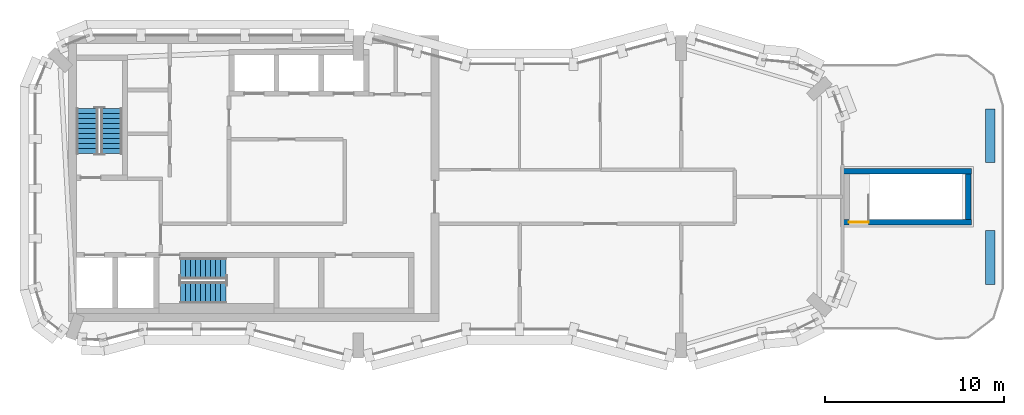
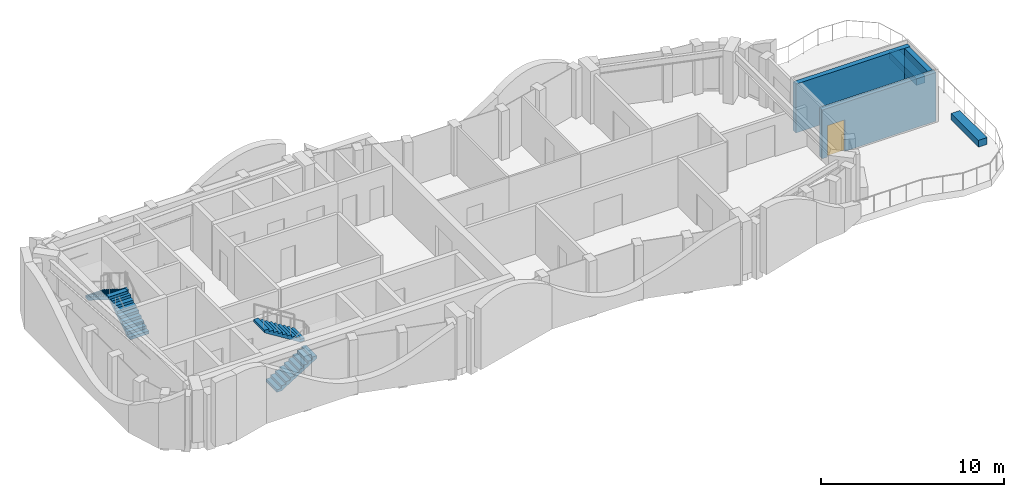
# One storey, part 5 of 9: 5 walls, 4 stair flights, 1 door, 1 opening, 2 elements without a shape of their own.
"""IFC4 building model written with IfcOpenShell, lengths in metres."""

from ifc_helpers import new_model, si_unit, direction, frame, frame_2d, origin, place, context, subcontext, project, spatial, polyline, rectangle, outline, extrude, material, layer, layer_set, type_object, element, fill, aggregate, save


model = new_model("IFC4")

# Units and contexts
model_context = context("Model", 3, precision=1e-05, world=origin(), true_north=direction((0.0, 1.0)))
body_context = subcontext(model_context, "Body", "Model", "MODEL_VIEW")
ifc_project = project(units=[si_unit("LENGTHUNIT", "METRE"), si_unit("AREAUNIT", "SQUARE_METRE"), si_unit("VOLUMEUNIT", "CUBIC_METRE"), si_unit("PLANEANGLEUNIT", "RADIAN"), si_unit("MASSUNIT", "GRAM", prefix="KILO")], contexts=[model_context])

# Site, building, storey
site_placement = place(None, origin())
site = spatial("IfcSite", under=ifc_project, at=site_placement, CompositionType="ELEMENT")
building_placement = place(site_placement, origin())
building = spatial("IfcBuilding", under=site, at=building_placement, Name="Plateau Cross Towers", CompositionType="ELEMENT")
storey_placement = place(building_placement, frame((0.0, 0.0, 287.89990234375)))
storey = spatial("IfcBuildingStorey", under=building, at=storey_placement, Name="L76 Crown 1", CompositionType="ELEMENT", Elevation=287.89990234375)

# Walls
ifc_material_1 = material(Name="Concrete C30/37", Category="concrete")
ifc_layer_1 = layer(ifc_material_1, 0.550048828125)
ifc_layer_set_1 = layer_set([ifc_layer_1], Name="Concrete C30/37")
wall_type_1 = type_object("IfcWallType", Name="Planter upstand 550", PredefinedType="STANDARD", material=ifc_layer_set_1)
for number, where, z_axis, x_axis, name in (
    (1, (53.235107421875, 13.880126953125, 0.0), (0.0, 0.0, 1.0), (0.0, -1.0, 0.0), "Planter 1"),
    (2, (53.235107421875, 7.106689453125, 0.0), (0.0, 0.0, 1.0), (0.0, -1.0, 0.0), "Planter 2"),
):
    element("IfcWall", number, at=place(storey_placement, frame(where, z_axis=z_axis, x_axis=x_axis)), inside=storey, type_object=wall_type_1, Name=name, PredefinedType="STANDARD", context=body_context, shape_type="SweptSolid", body=[
        extrude(rectangle(XDim=2.98681640625, YDim=0.550048828125, at=frame_2d((1.493408203125, 0.0))), origin(), (0.0, 0.0, 1.0), 0.4501953125),
    ])
ifc_material_2 = material(Name="Concrete C60/75", Category="concrete")
ifc_layer_2 = layer(ifc_material_2, 0.300048828125)
ifc_layer_set_2 = layer_set([ifc_layer_2], Name="Concrete C60/75")
wall_type_2 = type_object("IfcWallType", Name="Stair tower wall 300", PredefinedType="SHEAR", material=ifc_layer_set_2)
wall_1_placement = place(storey_placement, frame((52.0, 7.72509765625, 0.0), z_axis=(0.0, 0.0, 1.0), x_axis=(0.0, 1.0, 0.0)))
element("IfcWall", 3, at=wall_1_placement, inside=storey, type_object=wall_type_2, Name="A-end-E-E@L76 Crown 1", PredefinedType="SHEAR", context=body_context, shape_type="SweptSolid", body=[
    extrude(rectangle(XDim=2.5498046875, YDim=0.300048828125, at=frame_2d((1.27490234375, 0.0))), origin(), (0.0, 0.0, 1.0), 3.25),
])

# Wall, opening, door
wall_2_placement = place(storey_placement, frame((45.0, 7.574951171875, 0.0), z_axis=(0.0, 0.0, 1.0), x_axis=(1.0, 0.0, 0.0)))
wall_2 = element("IfcWall", 4, at=wall_2_placement, inside=storey, type_object=wall_type_2, Name="A-end-E-S@L76 Crown 1", PredefinedType="SHEAR", context=body_context, shape_type="SweptSolid", body=[
    extrude(rectangle(XDim=7.199951171875, YDim=0.300048828125, at=frame_2d((3.60009765625, 0.0))), origin(), (0.0, 0.0, 1.0), 3.25),
])
opening_placement = place(wall_2_placement, frame((0.35009765625, 0.0, 0.0)))
opening = element("IfcOpeningElement", 5, at=opening_placement, cuts=wall_2, Name="Opening SD", PredefinedType="OPENING", context=body_context, shape_type="SweptSolid", body=[
    extrude(rectangle(XDim=1.10009765625, YDim=2.10009765625, at=frame_2d((0.550048828125, 1.050048828125))), frame((0.0, 0.159912109375, 0.0), z_axis=(0.0, -1.0, 0.0), x_axis=(1.0, 0.0, 0.0)), (0.0, 0.0, 1.0), 0.320068359375),
])
ifc_material_3 = material(Name="Steel, fire-resisting leaf", Category="steel")
door_type = type_object("IfcDoorType", Name="Stair door 1100", OperationType="NOTDEFINED", PredefinedType="DOOR", material=ifc_material_3)
door_placement = place(opening_placement, origin())
door = element("IfcDoor", 6, at=door_placement, inside=storey, type_object=door_type, Name="Stair door SD", OperationType="SINGLE_SWING_LEFT", OverallHeight=2.10009765625, OverallWidth=1.10009765625, PredefinedType="DOOR", context=body_context, shape_type="SweptSolid", body=[
    extrude(rectangle(XDim=1.10009765625, YDim=2.10009765625, at=frame_2d((0.550048828125, 1.050048828125))), frame((0.0, 0.02490234375, 0.0), z_axis=(0.0, -1.0, 0.0), x_axis=(1.0, 0.0, 0.0)), (0.0, 0.0, 1.0), 0.050048828125),
])
fill(opening, door)

# Wall
wall_3_placement = place(storey_placement, frame((45.0, 10.425048828125, 0.0), z_axis=(0.0, 0.0, 1.0), x_axis=(1.0, 0.0, 0.0)))
element("IfcWall", 7, at=wall_3_placement, inside=storey, type_object=wall_type_2, Name="A-end-E-N@L76 Crown 1", PredefinedType="SHEAR", context=body_context, shape_type="SweptSolid", body=[
    extrude(rectangle(XDim=7.199951171875, YDim=0.300048828125, at=frame_2d((3.60009765625, 0.0))), origin(), (0.0, 0.0, 1.0), 3.25),
])

# Stair, stair flights
ifc_material_4 = material(Name="Concrete C40/50", Category="concrete")
stair_type = type_object("IfcStairType", Name="ST-TWR", PredefinedType="HALF_TURN_STAIR", material=ifc_material_4)
stair_1_placement = place(storey_placement, origin())
stair_1 = element("IfcStair", 8, at=stair_1_placement, inside=storey, type_object=stair_type, Name="L76 Crown 1 Protected Exit Stair ST-1", PredefinedType="HALF_TURN_STAIR")
stair_flight_type = type_object("IfcStairFlightType", Name="SFL-RC", PredefinedType="STRAIGHT", material=ifc_material_4)
stair_flight_1_placement = place(storey_placement, frame((4.25, 11.39990234375, 0.0), z_axis=(0.0, 0.0, 1.0), x_axis=(0.0, 1.0, 0.0)))
stair_flight_1 = element("IfcStairFlight", 9, at=stair_flight_1_placement, type_object=stair_flight_type, Name="ST-1 flight 1", NumberOfRisers=10, NumberOfTreads=9, PredefinedType="STRAIGHT", RiserHeight=0.175, TreadLength=0.28, context=body_context, shape_type="SweptSolid", body=[
    extrude(outline(polyline([(-0.0048828125, -0.010009765625), (-0.0048828125, 0.0), (0.0, 0.0), (0.0, 0.175048828125), (0.280029296875, 0.175048828125), (0.280029296875, 0.35009765625), (0.56005859375, 0.35009765625), (0.56005859375, 0.52490234375), (0.840087890625, 0.52490234375), (0.840087890625, 0.699951171875), (1.1201171875, 0.699951171875), (1.1201171875, 0.875), (1.39990234375, 0.875), (1.39990234375, 1.050048828125), (1.679931640625, 1.050048828125), (1.679931640625, 1.22509765625), (1.9599609375, 1.22509765625), (1.9599609375, 1.39990234375), (2.239990234375, 1.39990234375), (2.239990234375, 1.574951171875), (2.52001953125, 1.574951171875), (2.52490234375, 1.56494140625), (2.52490234375, 1.398193359375), (2.52001953125, 1.398193359375), (0.28271484375, 0.0), (0.02001953125, 0.0), (0.02001953125, -0.010009765625), (-0.0048828125, -0.010009765625)])), frame((0.0, 0.60009765625, 0.0), z_axis=(0.0, -1.0, 0.0), x_axis=(1.0, 0.0, 0.0)), (0.0, 0.0, 1.0), 1.199951171875),
])
stair_flight_2_placement = place(storey_placement, frame((2.89990234375, 13.919921875, 1.75), z_axis=(0.0, 0.0, 1.0), x_axis=(0.0, -1.0, 0.0)))
stair_flight_2 = element("IfcStairFlight", 10, at=stair_flight_2_placement, type_object=stair_flight_type, Name="ST-1 flight 2", NumberOfRisers=10, NumberOfTreads=9, PredefinedType="STRAIGHT", RiserHeight=0.175, TreadLength=0.28, context=body_context, shape_type="SweptSolid", body=[
    extrude(outline(polyline([(-0.0048828125, -0.010009765625), (-0.0048828125, 0.0), (0.0, 0.0), (0.0, 0.175048828125), (0.280029296875, 0.175048828125), (0.280029296875, 0.35009765625), (0.56005859375, 0.35009765625), (0.56005859375, 0.52490234375), (0.840087890625, 0.52490234375), (0.840087890625, 0.699951171875), (1.1201171875, 0.699951171875), (1.1201171875, 0.875), (1.39990234375, 0.875), (1.39990234375, 1.050048828125), (1.679931640625, 1.050048828125), (1.679931640625, 1.22509765625), (1.9599609375, 1.22509765625), (1.9599609375, 1.39990234375), (2.239990234375, 1.39990234375), (2.239990234375, 1.574951171875), (2.52001953125, 1.574951171875), (2.52490234375, 1.56494140625), (2.52490234375, 1.398193359375), (2.52001953125, 1.398193359375), (0.28271484375, 0.0), (0.02001953125, 0.0), (0.02001953125, -0.010009765625), (-0.0048828125, -0.010009765625)])), frame((0.0, 0.60009765625, 0.0), z_axis=(0.0, -1.0, 0.0), x_axis=(1.0, 0.0, 0.0)), (0.0, 0.0, 1.0), 1.199951171875),
])
aggregate(stair_1, [stair_flight_1, stair_flight_2])

stair_2_placement = place(storey_placement, origin())
stair_2 = element("IfcStair", 11, at=stair_2_placement, inside=storey, type_object=stair_type, Name="L76 Crown 1 Protected Exit Stair ST-2", PredefinedType="HALF_TURN_STAIR")
stair_flight_3_placement = place(storey_placement, frame((8.10009765625, 3.64990234375, 0.0), z_axis=(0.0, 0.0, 1.0), x_axis=(1.0, 0.0, 0.0)))
stair_flight_3 = element("IfcStairFlight", 12, at=stair_flight_3_placement, type_object=stair_flight_type, Name="ST-2 flight 1", NumberOfRisers=10, NumberOfTreads=9, PredefinedType="STRAIGHT", RiserHeight=0.175, TreadLength=0.28, context=body_context, shape_type="SweptSolid", body=[
    extrude(outline(polyline([(-0.0048828125, -0.010009765625), (-0.0048828125, 0.0), (0.0, 0.0), (0.0, 0.175048828125), (0.280029296875, 0.175048828125), (0.280029296875, 0.35009765625), (0.56005859375, 0.35009765625), (0.56005859375, 0.52490234375), (0.840087890625, 0.52490234375), (0.840087890625, 0.699951171875), (1.1201171875, 0.699951171875), (1.1201171875, 0.875), (1.39990234375, 0.875), (1.39990234375, 1.050048828125), (1.679931640625, 1.050048828125), (1.679931640625, 1.22509765625), (1.9599609375, 1.22509765625), (1.9599609375, 1.39990234375), (2.239990234375, 1.39990234375), (2.239990234375, 1.574951171875), (2.52001953125, 1.574951171875), (2.52490234375, 1.56494140625), (2.52490234375, 1.398193359375), (2.52001953125, 1.398193359375), (0.28271484375, 0.0), (0.02001953125, 0.0), (0.02001953125, -0.010009765625), (-0.0048828125, -0.010009765625)])), frame((0.0, 0.60009765625, 0.0), z_axis=(0.0, -1.0, 0.0), x_axis=(1.0, 0.0, 0.0)), (0.0, 0.0, 1.0), 1.199951171875),
])
stair_flight_4_placement = place(storey_placement, frame((10.6201171875, 5.0, 1.75), z_axis=(0.0, 0.0, 1.0), x_axis=(-1.0, 0.0, 0.0)))
stair_flight_4 = element("IfcStairFlight", 13, at=stair_flight_4_placement, type_object=stair_flight_type, Name="ST-2 flight 2", NumberOfRisers=10, NumberOfTreads=9, PredefinedType="STRAIGHT", RiserHeight=0.175, TreadLength=0.28, context=body_context, shape_type="SweptSolid", body=[
    extrude(outline(polyline([(-0.0048828125, -0.010009765625), (-0.0048828125, 0.0), (0.0, 0.0), (0.0, 0.175048828125), (0.280029296875, 0.175048828125), (0.280029296875, 0.35009765625), (0.56005859375, 0.35009765625), (0.56005859375, 0.52490234375), (0.840087890625, 0.52490234375), (0.840087890625, 0.699951171875), (1.1201171875, 0.699951171875), (1.1201171875, 0.875), (1.39990234375, 0.875), (1.39990234375, 1.050048828125), (1.679931640625, 1.050048828125), (1.679931640625, 1.22509765625), (1.9599609375, 1.22509765625), (1.9599609375, 1.39990234375), (2.239990234375, 1.39990234375), (2.239990234375, 1.574951171875), (2.52001953125, 1.574951171875), (2.52490234375, 1.56494140625), (2.52490234375, 1.398193359375), (2.52001953125, 1.398193359375), (0.28271484375, 0.0), (0.02001953125, 0.0), (0.02001953125, -0.010009765625), (-0.0048828125, -0.010009765625)])), frame((0.0, 0.60009765625, 0.0), z_axis=(0.0, -1.0, 0.0), x_axis=(1.0, 0.0, 0.0)), (0.0, 0.0, 1.0), 1.199951171875),
])
aggregate(stair_2, [stair_flight_3, stair_flight_4])

save(model, "model.ifc")
